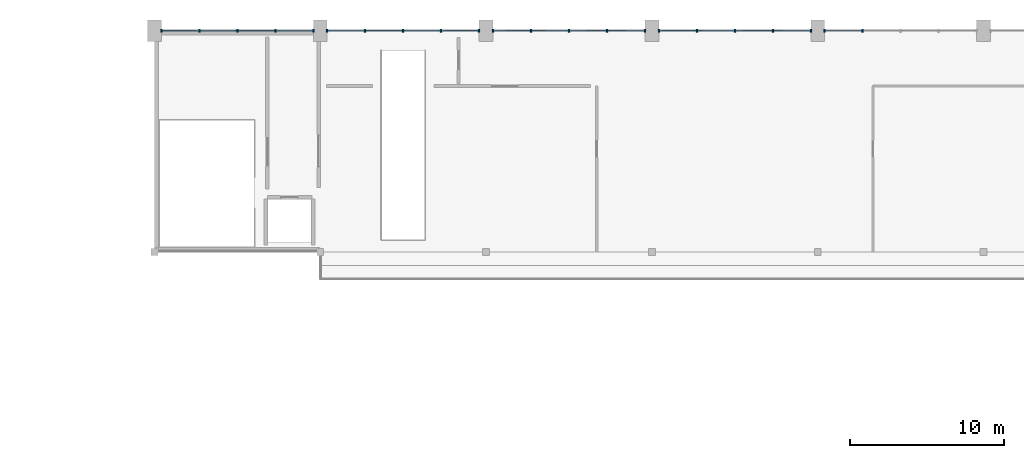
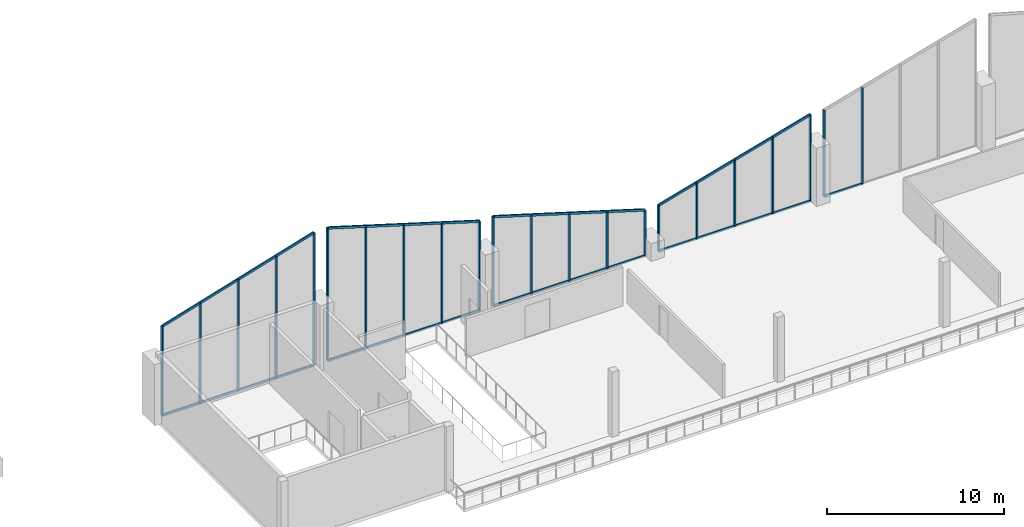
# One storey, part 29 of 89: 47 members, 5 elements without a shape of their own.
"""IFC4 building model written with IfcOpenShell, lengths in metres."""

from ifc_helpers import new_model, si_unit, direction, frame, origin, origin_2d, place, context, subcontext, project, spatial, rectangle, extrude, material, material_profile, profile_set, type_object, element, aggregate, save


model = new_model("IFC4")

# Units and contexts
model_context = context("Model", 3, precision=1e-05, world=origin(), true_north=direction((0.0, 1.0)))
body_context = subcontext(model_context, "Body", "Model", "MODEL_VIEW")
ifc_project = project(units=[si_unit("LENGTHUNIT", "METRE"), si_unit("AREAUNIT", "SQUARE_METRE"), si_unit("VOLUMEUNIT", "CUBIC_METRE"), si_unit("PLANEANGLEUNIT", "RADIAN"), si_unit("MASSUNIT", "GRAM", prefix="KILO")], contexts=[model_context])

# Site, building, storey
site_placement = place(None, origin())
site = spatial("IfcSite", under=ifc_project, at=site_placement, CompositionType="ELEMENT")
building_placement = place(site_placement, origin())
building = spatial("IfcBuilding", under=site, at=building_placement, Name="Suirenkawa Promenade Aquatics Centre", CompositionType="ELEMENT")
storey_placement = place(building_placement, frame((0.0, 0.0, 9.60009765625)))
storey = spatial("IfcBuildingStorey", under=building, at=storey_placement, Name="L02", CompositionType="ELEMENT", Elevation=9.60009765625)

# Curtain wall, members
ifc_material = material(Name="Anodised aluminium 6063-T6", Category="aluminium")
curtain_wall_type_1 = type_object("IfcCurtainWallType", Name="CWAT-CLERN-09", PredefinedType="NOTDEFINED", material=ifc_material)
curtain_wall_1_placement = place(storey_placement, origin())
curtain_wall_1 = element("IfcCurtainWall", 1, at=curtain_wall_1_placement, inside=storey, type_object=curtain_wall_type_1, Name="Curtain wall CWA-09 CW-013", PredefinedType="NOTDEFINED")
ifc_material_profile_1 = material_profile(ifc_material, rectangle(XDim=0.094970703125, YDim=0.18994140625, at=origin_2d()), Name="ALU MULL 95x190", Category="aluminium")
ifc_profile_set_1 = profile_set([ifc_material_profile_1], Name="Anodised aluminium 6063-T6")
member_type_1 = type_object("IfcMemberType", Name="CWM-190x95", PredefinedType="MULLION", material=ifc_profile_set_1)
member_1_placement = place(storey_placement, frame((58.049072265625, 122.39990234375, 0.0), z_axis=(0.0, 0.0, 1.0), x_axis=(1.0, 0.0, 0.0)))
member_1 = element("IfcMember", 2, at=member_1_placement, type_object=member_type_1, Name="Mullion ML-02 CWM-00288", PredefinedType="MULLION", context=body_context, shape_type="SweptSolid", body=[
    extrude(rectangle(XDim=0.094970703125, YDim=0.18994140625, at=origin_2d()), origin(), (0.0, 0.0, 1.0), 6.14990234375),
])
member_2_placement = place(storey_placement, frame((60.5244140625, 122.39990234375, 0.0), z_axis=(0.0, 0.0, 1.0), x_axis=(1.0, 0.0, 0.0)))
member_2 = element("IfcMember", 3, at=member_2_placement, type_object=member_type_1, Name="Mullion ML-02 CWM-00289", PredefinedType="MULLION", context=body_context, shape_type="SweptSolid", body=[
    extrude(rectangle(XDim=0.094970703125, YDim=0.18994140625, at=origin_2d()), origin(), (0.0, 0.0, 1.0), 6.89990234375),
])
member_3_placement = place(storey_placement, frame((63.0, 122.39990234375, 0.0), z_axis=(0.0, 0.0, 1.0), x_axis=(1.0, 0.0, 0.0)))
member_3 = element("IfcMember", 4, at=member_3_placement, type_object=member_type_1, Name="Mullion ML-02 CWM-00290", PredefinedType="MULLION", context=body_context, shape_type="SweptSolid", body=[
    extrude(rectangle(XDim=0.094970703125, YDim=0.18994140625, at=origin_2d()), origin(), (0.0, 0.0, 1.0), 7.64990234375),
])
member_4_placement = place(storey_placement, frame((65.4755859375, 122.39990234375, 0.0), z_axis=(0.0, 0.0, 1.0), x_axis=(1.0, 0.0, 0.0)))
member_4 = element("IfcMember", 5, at=member_4_placement, type_object=member_type_1, Name="Mullion ML-02 CWM-00291", PredefinedType="MULLION", context=body_context, shape_type="SweptSolid", body=[
    extrude(rectangle(XDim=0.094970703125, YDim=0.18994140625, at=origin_2d()), origin(), (0.0, 0.0, 1.0), 8.39990234375),
])
member_5_placement = place(storey_placement, frame((67.950927734375, 122.39990234375, 0.0), z_axis=(0.0, 0.0, 1.0), x_axis=(1.0, 0.0, 0.0)))
member_5 = element("IfcMember", 6, at=member_5_placement, type_object=member_type_1, Name="Mullion ML-02 CWM-00292", PredefinedType="MULLION", context=body_context, shape_type="SweptSolid", body=[
    extrude(rectangle(XDim=0.094970703125, YDim=0.18994140625, at=origin_2d()), origin(), (0.0, 0.0, 1.0), 9.14990234375),
])

curtain_wall_2_placement = place(storey_placement, origin())
curtain_wall_2 = element("IfcCurtainWall", 7, at=curtain_wall_2_placement, inside=storey, type_object=curtain_wall_type_1, Name="Curtain wall CWA-09 CW-015", PredefinedType="NOTDEFINED")
member_6_placement = place(storey_placement, frame((68.84912109375, 122.39990234375, 0.0), z_axis=(0.0, 0.0, 1.0), x_axis=(1.0, 0.0, 0.0)))
member_6 = element("IfcMember", 8, at=member_6_placement, type_object=member_type_1, Name="Mullion ML-02 CWM-00326", PredefinedType="MULLION", context=body_context, shape_type="SweptSolid", body=[
    extrude(rectangle(XDim=0.094970703125, YDim=0.18994140625, at=origin_2d()), origin(), (0.0, 0.0, 1.0), 9.14990234375),
])
member_7_placement = place(storey_placement, frame((71.324462890625, 122.39990234375, 0.0), z_axis=(0.0, 0.0, 1.0), x_axis=(1.0, 0.0, 0.0)))
member_7 = element("IfcMember", 9, at=member_7_placement, type_object=member_type_1, Name="Mullion ML-02 CWM-00327", PredefinedType="MULLION", context=body_context, shape_type="SweptSolid", body=[
    extrude(rectangle(XDim=0.094970703125, YDim=0.18994140625, at=origin_2d()), origin(), (0.0, 0.0, 1.0), 8.39990234375),
])
member_8_placement = place(storey_placement, frame((73.800048828125, 122.39990234375, 0.0), z_axis=(0.0, 0.0, 1.0), x_axis=(1.0, 0.0, 0.0)))
member_8 = element("IfcMember", 10, at=member_8_placement, type_object=member_type_1, Name="Mullion ML-02 CWM-00328", PredefinedType="MULLION", context=body_context, shape_type="SweptSolid", body=[
    extrude(rectangle(XDim=0.094970703125, YDim=0.18994140625, at=origin_2d()), origin(), (0.0, 0.0, 1.0), 7.64990234375),
])
member_9_placement = place(storey_placement, frame((76.275390625, 122.39990234375, 0.0), z_axis=(0.0, 0.0, 1.0), x_axis=(1.0, 0.0, 0.0)))
member_9 = element("IfcMember", 11, at=member_9_placement, type_object=member_type_1, Name="Mullion ML-02 CWM-00329", PredefinedType="MULLION", context=body_context, shape_type="SweptSolid", body=[
    extrude(rectangle(XDim=0.094970703125, YDim=0.18994140625, at=origin_2d()), origin(), (0.0, 0.0, 1.0), 6.89990234375),
])
member_10_placement = place(storey_placement, frame((78.7509765625, 122.39990234375, 0.0), z_axis=(0.0, 0.0, 1.0), x_axis=(1.0, 0.0, 0.0)))
member_10 = element("IfcMember", 12, at=member_10_placement, type_object=member_type_1, Name="Mullion ML-02 CWM-00330", PredefinedType="MULLION", context=body_context, shape_type="SweptSolid", body=[
    extrude(rectangle(XDim=0.094970703125, YDim=0.18994140625, at=origin_2d()), origin(), (0.0, 0.0, 1.0), 6.14990234375),
])

curtain_wall_type_2 = type_object("IfcCurtainWallType", Name="CWAT-CLERN-10", PredefinedType="NOTDEFINED", material=ifc_material)
curtain_wall_3_placement = place(storey_placement, origin())
curtain_wall_3 = element("IfcCurtainWall", 13, at=curtain_wall_3_placement, inside=storey, type_object=curtain_wall_type_2, Name="Curtain wall CWA-10 CW-017", PredefinedType="NOTDEFINED")
member_11_placement = place(storey_placement, frame((79.64892578125, 122.39990234375, 0.0), z_axis=(0.0, 0.0, 1.0), x_axis=(1.0, 0.0, 0.0)))
member_11 = element("IfcMember", 14, at=member_11_placement, type_object=member_type_1, Name="Mullion ML-02 CWM-00364", PredefinedType="MULLION", context=body_context, shape_type="SweptSolid", body=[
    extrude(rectangle(XDim=0.094970703125, YDim=0.18994140625, at=origin_2d()), origin(), (0.0, 0.0, 1.0), 6.14990234375),
])
member_12_placement = place(storey_placement, frame((82.12451171875, 122.39990234375, 0.0), z_axis=(0.0, 0.0, 1.0), x_axis=(1.0, 0.0, 0.0)))
member_12 = element("IfcMember", 15, at=member_12_placement, type_object=member_type_1, Name="Mullion ML-02 CWM-00365", PredefinedType="MULLION", context=body_context, shape_type="SweptSolid", body=[
    extrude(rectangle(XDim=0.094970703125, YDim=0.18994140625, at=origin_2d()), origin(), (0.0, 0.0, 1.0), 5.39990234375),
])
member_13_placement = place(storey_placement, frame((84.60009765625, 122.39990234375, 0.0), z_axis=(0.0, 0.0, 1.0), x_axis=(1.0, 0.0, 0.0)))
member_13 = element("IfcMember", 16, at=member_13_placement, type_object=member_type_1, Name="Mullion ML-02 CWM-00366", PredefinedType="MULLION", context=body_context, shape_type="SweptSolid", body=[
    extrude(rectangle(XDim=0.094970703125, YDim=0.18994140625, at=origin_2d()), origin(), (0.0, 0.0, 1.0), 4.64990234375),
])
member_14_placement = place(storey_placement, frame((87.075439453125, 122.39990234375, 0.0), z_axis=(0.0, 0.0, 1.0), x_axis=(1.0, 0.0, 0.0)))
member_14 = element("IfcMember", 17, at=member_14_placement, type_object=member_type_1, Name="Mullion ML-02 CWM-00367", PredefinedType="MULLION", context=body_context, shape_type="SweptSolid", body=[
    extrude(rectangle(XDim=0.094970703125, YDim=0.18994140625, at=origin_2d()), origin(), (0.0, 0.0, 1.0), 3.89990234375),
])
member_15_placement = place(storey_placement, frame((89.551025390625, 122.39990234375, 0.0), z_axis=(0.0, 0.0, 1.0), x_axis=(1.0, 0.0, 0.0)))
member_15 = element("IfcMember", 18, at=member_15_placement, type_object=member_type_1, Name="Mullion ML-02 CWM-00368", PredefinedType="MULLION", context=body_context, shape_type="SweptSolid", body=[
    extrude(rectangle(XDim=0.094970703125, YDim=0.18994140625, at=origin_2d()), origin(), (0.0, 0.0, 1.0), 3.14990234375),
])

curtain_wall_type_3 = type_object("IfcCurtainWallType", Name="CWAT-CLERN-13", PredefinedType="NOTDEFINED", material=ifc_material)
curtain_wall_4_placement = place(storey_placement, origin())
curtain_wall_4 = element("IfcCurtainWall", 19, at=curtain_wall_4_placement, inside=storey, type_object=curtain_wall_type_3, Name="Curtain wall CWA-13 CW-020", PredefinedType="NOTDEFINED")
member_16_placement = place(storey_placement, frame((90.448974609375, 122.39990234375, 0.0), z_axis=(0.0, 0.0, 1.0), x_axis=(1.0, 0.0, 0.0)))
member_16 = element("IfcMember", 20, at=member_16_placement, type_object=member_type_1, Name="Mullion ML-02 CWM-00424", PredefinedType="MULLION", context=body_context, shape_type="SweptSolid", body=[
    extrude(rectangle(XDim=0.094970703125, YDim=0.18994140625, at=origin_2d()), origin(), (0.0, 0.0, 1.0), 3.14990234375),
])
member_17_placement = place(storey_placement, frame((92.924560546875, 122.39990234375, 0.0), z_axis=(0.0, 0.0, 1.0), x_axis=(1.0, 0.0, 0.0)))
member_17 = element("IfcMember", 21, at=member_17_placement, type_object=member_type_1, Name="Mullion ML-02 CWM-00425", PredefinedType="MULLION", context=body_context, shape_type="SweptSolid", body=[
    extrude(rectangle(XDim=0.094970703125, YDim=0.18994140625, at=origin_2d()), origin(), (0.0, 0.0, 1.0), 3.849853515625),
])
member_18_placement = place(storey_placement, frame((95.39990234375, 122.39990234375, 0.0), z_axis=(0.0, 0.0, 1.0), x_axis=(1.0, 0.0, 0.0)))
member_18 = element("IfcMember", 22, at=member_18_placement, type_object=member_type_1, Name="Mullion ML-02 CWM-00426", PredefinedType="MULLION", context=body_context, shape_type="SweptSolid", body=[
    extrude(rectangle(XDim=0.094970703125, YDim=0.18994140625, at=origin_2d()), origin(), (0.0, 0.0, 1.0), 4.5498046875),
])
member_19_placement = place(storey_placement, frame((97.87548828125, 122.39990234375, 0.0), z_axis=(0.0, 0.0, 1.0), x_axis=(1.0, 0.0, 0.0)))
member_19 = element("IfcMember", 23, at=member_19_placement, type_object=member_type_1, Name="Mullion ML-02 CWM-00427", PredefinedType="MULLION", context=body_context, shape_type="SweptSolid", body=[
    extrude(rectangle(XDim=0.094970703125, YDim=0.18994140625, at=origin_2d()), origin(), (0.0, 0.0, 1.0), 5.25),
])
member_20_placement = place(storey_placement, frame((100.35107421875, 122.39990234375, 0.0), z_axis=(0.0, 0.0, 1.0), x_axis=(1.0, 0.0, 0.0)))
member_20 = element("IfcMember", 24, at=member_20_placement, type_object=member_type_1, Name="Mullion ML-02 CWM-00428", PredefinedType="MULLION", context=body_context, shape_type="SweptSolid", body=[
    extrude(rectangle(XDim=0.094970703125, YDim=0.18994140625, at=origin_2d()), origin(), (0.0, 0.0, 1.0), 5.949951171875),
])

curtain_wall_type_4 = type_object("IfcCurtainWallType", Name="CWAT-CLERN-15", PredefinedType="NOTDEFINED", material=ifc_material)
curtain_wall_5_placement = place(storey_placement, origin())
curtain_wall_5 = element("IfcCurtainWall", 25, at=curtain_wall_5_placement, inside=storey, type_object=curtain_wall_type_4, Name="Curtain wall CWA-15 CW-023", PredefinedType="NOTDEFINED")
member_21_placement = place(storey_placement, frame((101.2490234375, 122.39990234375, 0.0), z_axis=(0.0, 0.0, 1.0), x_axis=(1.0, 0.0, 0.0)))
member_21 = element("IfcMember", 26, at=member_21_placement, type_object=member_type_1, Name="Mullion ML-02 CWM-00484", PredefinedType="MULLION", context=body_context, shape_type="SweptSolid", body=[
    extrude(rectangle(XDim=0.094970703125, YDim=0.18994140625, at=origin_2d()), origin(), (0.0, 0.0, 1.0), 5.949951171875),
])
member_22_placement = place(storey_placement, frame((103.724609375, 122.39990234375, 0.0), z_axis=(0.0, 0.0, 1.0), x_axis=(1.0, 0.0, 0.0)))
member_22 = element("IfcMember", 27, at=member_22_placement, type_object=member_type_1, Name="Mullion ML-02 CWM-00485", PredefinedType="MULLION", context=body_context, shape_type="SweptSolid", body=[
    extrude(rectangle(XDim=0.094970703125, YDim=0.18994140625, at=origin_2d()), origin(), (0.0, 0.0, 1.0), 6.64990234375),
])

# Member
ifc_material_profile_2 = material_profile(ifc_material, rectangle(XDim=0.094970703125, YDim=0.14990234375, at=origin_2d()), Name="ALU TRAN 95x150", Category="aluminium")
ifc_profile_set_2 = profile_set([ifc_material_profile_2], Name="Anodised aluminium 6063-T6")
member_type_2 = type_object("IfcMemberType", Name="CWT-150x95", PredefinedType="USERDEFINED", material=ifc_profile_set_2)
member_23_placement = place(storey_placement, frame((58.049072265625, 122.39990234375, 0.0), z_axis=(1.0, 0.0, 0.0), x_axis=(0.0, 1.0, 0.0)))
member_23 = element("IfcMember", 28, at=member_23_placement, type_object=member_type_2, Name="Transom TR-02 CWT-00293", ObjectType="TRANSOM", PredefinedType="USERDEFINED", context=body_context, shape_type="SweptSolid", body=[
    extrude(rectangle(XDim=0.094970703125, YDim=0.14990234375, at=origin_2d()), origin(), (0.0, 0.0, 1.0), 2.475341796875),
])

member_24_placement = place(storey_placement, frame((60.5244140625, 122.39990234375, 0.0), z_axis=(1.0, 0.0, 0.0), x_axis=(0.0, 1.0, 0.0)))
member_24 = element("IfcMember", 29, at=member_24_placement, type_object=member_type_2, Name="Transom TR-02 CWT-00294", ObjectType="TRANSOM", PredefinedType="USERDEFINED", context=body_context, shape_type="SweptSolid", body=[
    extrude(rectangle(XDim=0.094970703125, YDim=0.14990234375, at=origin_2d()), origin(), (0.0, 0.0, 1.0), 2.4755859375),
])

member_25_placement = place(storey_placement, frame((63.0, 122.39990234375, 0.0), z_axis=(1.0, 0.0, 0.0), x_axis=(0.0, 1.0, 0.0)))
member_25 = element("IfcMember", 30, at=member_25_placement, type_object=member_type_2, Name="Transom TR-02 CWT-00295", ObjectType="TRANSOM", PredefinedType="USERDEFINED", context=body_context, shape_type="SweptSolid", body=[
    extrude(rectangle(XDim=0.094970703125, YDim=0.14990234375, at=origin_2d()), origin(), (0.0, 0.0, 1.0), 2.4755859375),
])

member_26_placement = place(storey_placement, frame((65.4755859375, 122.39990234375, 0.0), z_axis=(1.0, 0.0, 0.0), x_axis=(0.0, 1.0, 0.0)))
member_26 = element("IfcMember", 31, at=member_26_placement, type_object=member_type_2, Name="Transom TR-02 CWT-00296", ObjectType="TRANSOM", PredefinedType="USERDEFINED", context=body_context, shape_type="SweptSolid", body=[
    extrude(rectangle(XDim=0.094970703125, YDim=0.14990234375, at=origin_2d()), origin(), (0.0, 0.0, 1.0), 2.475341796875),
])

member_27_placement = place(storey_placement, frame((58.049072265625, 122.39990234375, 6.14990234375), z_axis=(0.957039486046, 0.0, 0.289957621296), x_axis=(0.0, 1.0, 0.0)))
member_27 = element("IfcMember", 32, at=member_27_placement, type_object=member_type_2, Name="Roofline transom TR-02 CWT-00297", ObjectType="TRANSOM", PredefinedType="USERDEFINED", context=body_context, shape_type="SweptSolid", body=[
    extrude(rectangle(XDim=0.094970703125, YDim=0.14990234375, at=origin_2d()), origin(), (0.0, 0.0, 1.0), 5.173095703125),
])

member_28_placement = place(storey_placement, frame((63.0, 122.39990234375, 7.64990234375), z_axis=(0.957039486046, 0.0, 0.289957621296), x_axis=(0.0, 1.0, 0.0)))
member_28 = element("IfcMember", 33, at=member_28_placement, type_object=member_type_2, Name="Roofline transom TR-02 CWT-00298", ObjectType="TRANSOM", PredefinedType="USERDEFINED", context=body_context, shape_type="SweptSolid", body=[
    extrude(rectangle(XDim=0.094970703125, YDim=0.14990234375, at=origin_2d()), origin(), (0.0, 0.0, 1.0), 5.173095703125),
])

aggregate(curtain_wall_1, [member_1, member_2, member_3, member_4, member_5, member_23, member_24, member_25, member_26, member_27, member_28])

member_29_placement = place(storey_placement, frame((68.84912109375, 122.39990234375, 0.0), z_axis=(1.0, 0.0, 0.0), x_axis=(0.0, 1.0, 0.0)))
member_29 = element("IfcMember", 34, at=member_29_placement, type_object=member_type_2, Name="Transom TR-02 CWT-00331", ObjectType="TRANSOM", PredefinedType="USERDEFINED", context=body_context, shape_type="SweptSolid", body=[
    extrude(rectangle(XDim=0.094970703125, YDim=0.14990234375, at=origin_2d()), origin(), (0.0, 0.0, 1.0), 2.475341796875),
])

member_30_placement = place(storey_placement, frame((71.324462890625, 122.39990234375, 0.0), z_axis=(1.0, 0.0, 0.0), x_axis=(0.0, 1.0, 0.0)))
member_30 = element("IfcMember", 35, at=member_30_placement, type_object=member_type_2, Name="Transom TR-02 CWT-00332", ObjectType="TRANSOM", PredefinedType="USERDEFINED", context=body_context, shape_type="SweptSolid", body=[
    extrude(rectangle(XDim=0.094970703125, YDim=0.14990234375, at=origin_2d()), origin(), (0.0, 0.0, 1.0), 2.4755859375),
])

member_31_placement = place(storey_placement, frame((73.800048828125, 122.39990234375, 0.0), z_axis=(1.0, 0.0, 0.0), x_axis=(0.0, 1.0, 0.0)))
member_31 = element("IfcMember", 36, at=member_31_placement, type_object=member_type_2, Name="Transom TR-02 CWT-00333", ObjectType="TRANSOM", PredefinedType="USERDEFINED", context=body_context, shape_type="SweptSolid", body=[
    extrude(rectangle(XDim=0.094970703125, YDim=0.14990234375, at=origin_2d()), origin(), (0.0, 0.0, 1.0), 2.475341796875),
])

member_32_placement = place(storey_placement, frame((76.275390625, 122.39990234375, 0.0), z_axis=(1.0, 0.0, 0.0), x_axis=(0.0, 1.0, 0.0)))
member_32 = element("IfcMember", 37, at=member_32_placement, type_object=member_type_2, Name="Transom TR-02 CWT-00334", ObjectType="TRANSOM", PredefinedType="USERDEFINED", context=body_context, shape_type="SweptSolid", body=[
    extrude(rectangle(XDim=0.094970703125, YDim=0.14990234375, at=origin_2d()), origin(), (0.0, 0.0, 1.0), 2.4755859375),
])

member_33_placement = place(storey_placement, frame((68.84912109375, 122.39990234375, 9.14990234375), z_axis=(0.957039486046, 0.0, -0.289957621296), x_axis=(0.0, 1.0, 0.0)))
member_33 = element("IfcMember", 38, at=member_33_placement, type_object=member_type_2, Name="Roofline transom TR-02 CWT-00335", ObjectType="TRANSOM", PredefinedType="USERDEFINED", context=body_context, shape_type="SweptSolid", body=[
    extrude(rectangle(XDim=0.094970703125, YDim=0.14990234375, at=origin_2d()), origin(), (0.0, 0.0, 1.0), 5.173095703125),
])

member_34_placement = place(storey_placement, frame((73.800048828125, 122.39990234375, 7.64990234375), z_axis=(0.957039486046, 0.0, -0.289957621296), x_axis=(0.0, 1.0, 0.0)))
member_34 = element("IfcMember", 39, at=member_34_placement, type_object=member_type_2, Name="Roofline transom TR-02 CWT-00336", ObjectType="TRANSOM", PredefinedType="USERDEFINED", context=body_context, shape_type="SweptSolid", body=[
    extrude(rectangle(XDim=0.094970703125, YDim=0.14990234375, at=origin_2d()), origin(), (0.0, 0.0, 1.0), 5.173095703125),
])

aggregate(curtain_wall_2, [member_6, member_7, member_8, member_9, member_10, member_29, member_30, member_31, member_32, member_33, member_34])

member_35_placement = place(storey_placement, frame((79.64892578125, 122.39990234375, 0.0), z_axis=(1.0, 0.0, 0.0), x_axis=(0.0, 1.0, 0.0)))
member_35 = element("IfcMember", 40, at=member_35_placement, type_object=member_type_2, Name="Transom TR-02 CWT-00369", ObjectType="TRANSOM", PredefinedType="USERDEFINED", context=body_context, shape_type="SweptSolid", body=[
    extrude(rectangle(XDim=0.094970703125, YDim=0.14990234375, at=origin_2d()), origin(), (0.0, 0.0, 1.0), 2.4755859375),
])

member_36_placement = place(storey_placement, frame((82.12451171875, 122.39990234375, 0.0), z_axis=(1.0, 0.0, 0.0), x_axis=(0.0, 1.0, 0.0)))
member_36 = element("IfcMember", 41, at=member_36_placement, type_object=member_type_2, Name="Transom TR-02 CWT-00370", ObjectType="TRANSOM", PredefinedType="USERDEFINED", context=body_context, shape_type="SweptSolid", body=[
    extrude(rectangle(XDim=0.094970703125, YDim=0.14990234375, at=origin_2d()), origin(), (0.0, 0.0, 1.0), 2.4755859375),
])

member_37_placement = place(storey_placement, frame((84.60009765625, 122.39990234375, 0.0), z_axis=(1.0, 0.0, 0.0), x_axis=(0.0, 1.0, 0.0)))
member_37 = element("IfcMember", 42, at=member_37_placement, type_object=member_type_2, Name="Transom TR-02 CWT-00371", ObjectType="TRANSOM", PredefinedType="USERDEFINED", context=body_context, shape_type="SweptSolid", body=[
    extrude(rectangle(XDim=0.094970703125, YDim=0.14990234375, at=origin_2d()), origin(), (0.0, 0.0, 1.0), 2.475341796875),
])

member_38_placement = place(storey_placement, frame((87.075439453125, 122.39990234375, 0.0), z_axis=(1.0, 0.0, 0.0), x_axis=(0.0, 1.0, 0.0)))
member_38 = element("IfcMember", 43, at=member_38_placement, type_object=member_type_2, Name="Transom TR-02 CWT-00372", ObjectType="TRANSOM", PredefinedType="USERDEFINED", context=body_context, shape_type="SweptSolid", body=[
    extrude(rectangle(XDim=0.094970703125, YDim=0.14990234375, at=origin_2d()), origin(), (0.0, 0.0, 1.0), 2.4755859375),
])

member_39_placement = place(storey_placement, frame((79.64892578125, 122.39990234375, 6.14990234375), z_axis=(0.957043453601, 0.0, -0.289944525588), x_axis=(0.0, 1.0, 0.0)))
member_39 = element("IfcMember", 44, at=member_39_placement, type_object=member_type_2, Name="Roofline transom TR-02 CWT-00373", ObjectType="TRANSOM", PredefinedType="USERDEFINED", context=body_context, shape_type="SweptSolid", body=[
    extrude(rectangle(XDim=0.094970703125, YDim=0.14990234375, at=origin_2d()), origin(), (0.0, 0.0, 1.0), 5.17333984375),
])

member_40_placement = place(storey_placement, frame((84.60009765625, 122.39990234375, 4.64990234375), z_axis=(0.957039486046, 0.0, -0.289957621296), x_axis=(0.0, 1.0, 0.0)))
member_40 = element("IfcMember", 45, at=member_40_placement, type_object=member_type_2, Name="Roofline transom TR-02 CWT-00374", ObjectType="TRANSOM", PredefinedType="USERDEFINED", context=body_context, shape_type="SweptSolid", body=[
    extrude(rectangle(XDim=0.094970703125, YDim=0.14990234375, at=origin_2d()), origin(), (0.0, 0.0, 1.0), 5.173095703125),
])

aggregate(curtain_wall_3, [member_11, member_12, member_13, member_14, member_15, member_35, member_36, member_37, member_38, member_39, member_40])

member_41_placement = place(storey_placement, frame((90.448974609375, 122.39990234375, 0.0), z_axis=(1.0, 0.0, 0.0), x_axis=(0.0, 1.0, 0.0)))
member_41 = element("IfcMember", 46, at=member_41_placement, type_object=member_type_2, Name="Transom TR-02 CWT-00429", ObjectType="TRANSOM", PredefinedType="USERDEFINED", context=body_context, shape_type="SweptSolid", body=[
    extrude(rectangle(XDim=0.094970703125, YDim=0.14990234375, at=origin_2d()), origin(), (0.0, 0.0, 1.0), 2.4755859375),
])

member_42_placement = place(storey_placement, frame((92.924560546875, 122.39990234375, 0.0), z_axis=(1.0, 0.0, 0.0), x_axis=(0.0, 1.0, 0.0)))
member_42 = element("IfcMember", 47, at=member_42_placement, type_object=member_type_2, Name="Transom TR-02 CWT-00430", ObjectType="TRANSOM", PredefinedType="USERDEFINED", context=body_context, shape_type="SweptSolid", body=[
    extrude(rectangle(XDim=0.094970703125, YDim=0.14990234375, at=origin_2d()), origin(), (0.0, 0.0, 1.0), 2.475341796875),
])

member_43_placement = place(storey_placement, frame((95.39990234375, 122.39990234375, 0.0), z_axis=(1.0, 0.0, 0.0), x_axis=(0.0, 1.0, 0.0)))
member_43 = element("IfcMember", 48, at=member_43_placement, type_object=member_type_2, Name="Transom TR-02 CWT-00431", ObjectType="TRANSOM", PredefinedType="USERDEFINED", context=body_context, shape_type="SweptSolid", body=[
    extrude(rectangle(XDim=0.094970703125, YDim=0.14990234375, at=origin_2d()), origin(), (0.0, 0.0, 1.0), 2.4755859375),
])

member_44_placement = place(storey_placement, frame((97.87548828125, 122.39990234375, 0.0), z_axis=(1.0, 0.0, 0.0), x_axis=(0.0, 1.0, 0.0)))
member_44 = element("IfcMember", 49, at=member_44_placement, type_object=member_type_2, Name="Transom TR-02 CWT-00432", ObjectType="TRANSOM", PredefinedType="USERDEFINED", context=body_context, shape_type="SweptSolid", body=[
    extrude(rectangle(XDim=0.094970703125, YDim=0.14990234375, at=origin_2d()), origin(), (0.0, 0.0, 1.0), 2.4755859375),
])

member_45_placement = place(storey_placement, frame((90.448974609375, 122.39990234375, 3.14990234375), z_axis=(0.962272408902, 0.0, 0.272087873793), x_axis=(0.0, 1.0, 0.0)))
member_45 = element("IfcMember", 50, at=member_45_placement, type_object=member_type_2, Name="Roofline transom TR-02 CWT-00433", ObjectType="TRANSOM", PredefinedType="USERDEFINED", context=body_context, shape_type="SweptSolid", body=[
    extrude(rectangle(XDim=0.094970703125, YDim=0.14990234375, at=origin_2d()), origin(), (0.0, 0.0, 1.0), 5.14501953125),
])

member_46_placement = place(storey_placement, frame((95.39990234375, 122.39990234375, 4.5498046875), z_axis=(0.962263497919, 0.0, 0.272119386616), x_axis=(0.0, 1.0, 0.0)))
member_46 = element("IfcMember", 51, at=member_46_placement, type_object=member_type_2, Name="Roofline transom TR-02 CWT-00434", ObjectType="TRANSOM", PredefinedType="USERDEFINED", context=body_context, shape_type="SweptSolid", body=[
    extrude(rectangle(XDim=0.094970703125, YDim=0.14990234375, at=origin_2d()), origin(), (0.0, 0.0, 1.0), 5.145263671875),
])

aggregate(curtain_wall_4, [member_16, member_17, member_18, member_19, member_20, member_41, member_42, member_43, member_44, member_45, member_46])

member_47_placement = place(storey_placement, frame((101.2490234375, 122.39990234375, 0.0), z_axis=(1.0, 0.0, 0.0), x_axis=(0.0, 1.0, 0.0)))
member_47 = element("IfcMember", 52, at=member_47_placement, type_object=member_type_2, Name="Transom TR-02 CWT-00489", ObjectType="TRANSOM", PredefinedType="USERDEFINED", context=body_context, shape_type="SweptSolid", body=[
    extrude(rectangle(XDim=0.094970703125, YDim=0.14990234375, at=origin_2d()), origin(), (0.0, 0.0, 1.0), 2.4755859375),
])

aggregate(curtain_wall_5, [member_21, member_22, member_47])

save(model, "model.ifc")
